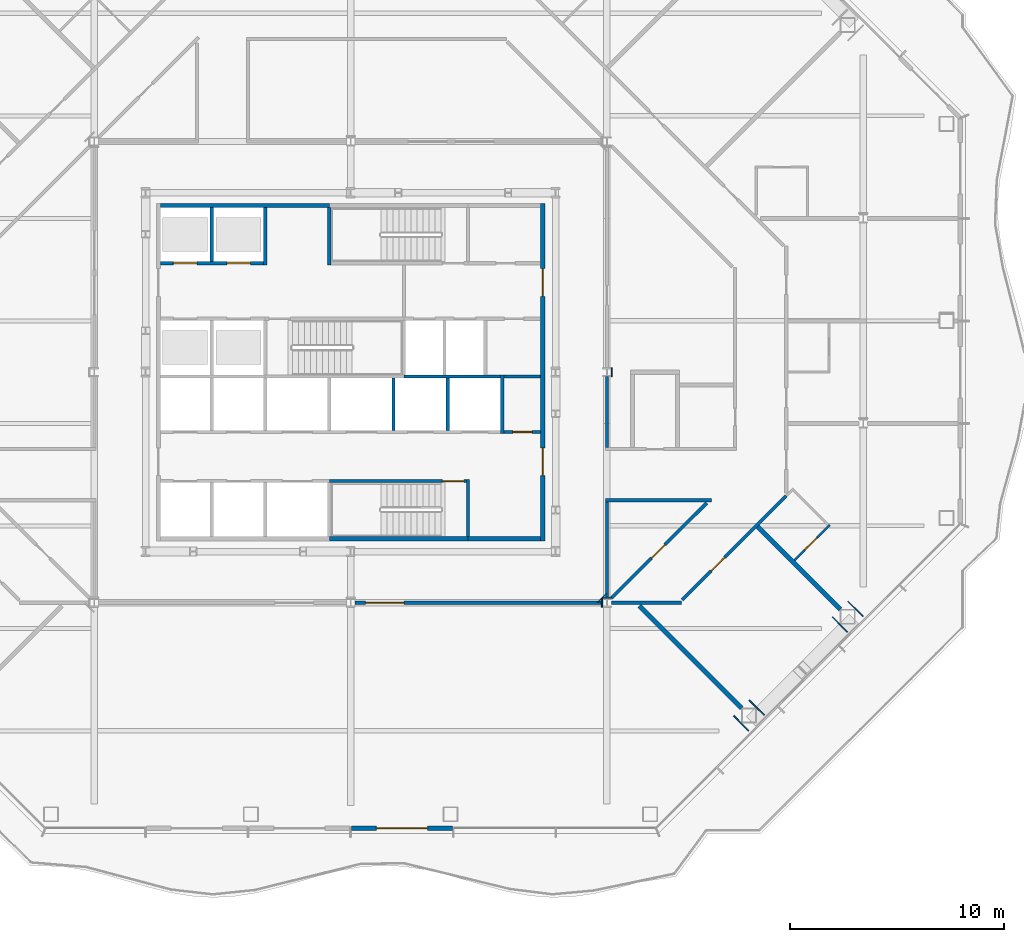
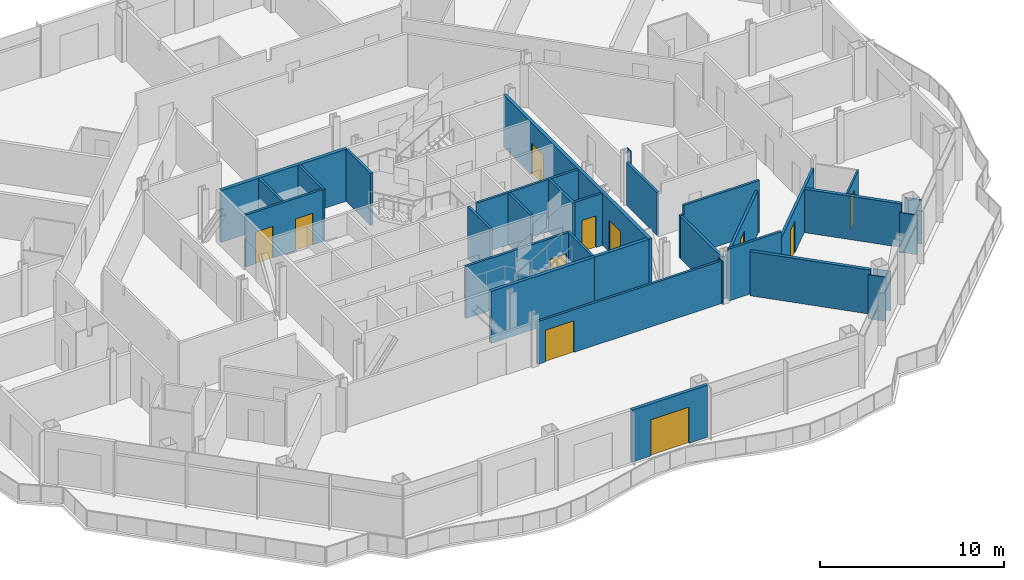
# One storey, part 11 of 24: 35 walls, 11 doors, 11 openings.
"""IFC4 building model written with IfcOpenShell, lengths in metres."""

from ifc_helpers import new_model, si_unit, direction, frame, frame_2d, origin, place, context, subcontext, project, spatial, polyline, rectangle, outline, extrude, material, layer, layer_set, type_object, element, fill, save


model = new_model("IFC4")

# Units and contexts
model_context = context("Model", 3, precision=1e-05, world=origin(), true_north=direction((0.0, 1.0)))
body_context = subcontext(model_context, "Body", "Model", "MODEL_VIEW")
ifc_project = project(units=[si_unit("LENGTHUNIT", "METRE"), si_unit("AREAUNIT", "SQUARE_METRE"), si_unit("VOLUMEUNIT", "CUBIC_METRE"), si_unit("PLANEANGLEUNIT", "RADIAN"), si_unit("MASSUNIT", "GRAM", prefix="KILO")], contexts=[model_context])

# Site, building, storey
site_placement = place(None, origin())
site = spatial("IfcSite", under=ifc_project, at=site_placement, CompositionType="ELEMENT")
building_placement = place(site_placement, origin())
building = spatial("IfcBuilding", under=site, at=building_placement, Name="Cairn Pilgrim Tower", CompositionType="ELEMENT")
storey_placement = place(building_placement, frame((0.0, 0.0, 125.39990234375)))
storey = spatial("IfcBuildingStorey", under=building, at=storey_placement, Name="L30", CompositionType="ELEMENT", Elevation=125.39990234375)

# Wall, opening, door
ifc_material_1 = material(Name="Bronze anodised aluminium insulated sandwich panel with mineral wool fill", Category="aluminium")
ifc_layer_1 = layer(ifc_material_1, 0.199951171875)
ifc_layer_set_1 = layer_set([ifc_layer_1], Name="BRONZE INFILL FRAME WALL 200")
wall_type_1 = type_object("IfcWallType", Name="BRONZE INFILL FRAME WALL 200", PredefinedType="NOTDEFINED", material=ifc_layer_set_1)
wall_1_placement = place(storey_placement, frame((7.22998046875, -18.949951171875, 0.0), z_axis=(0.0, 0.0, 1.0), x_axis=(1.0, 0.0, 0.0)))
wall_1 = element("IfcWall", 1, at=wall_1_placement, inside=storey, type_object=wall_type_1, Name="Bronze infill frame wall IW-S4", PredefinedType="NOTDEFINED", context=body_context, shape_type="SweptSolid", body=[
    extrude(rectangle(XDim=4.739990234375, YDim=0.199951171875, at=frame_2d((2.3701171875, 0.0))), origin(), (0.0, 0.0, 1.0), 3.4501953125),
])
opening_1_placement = place(wall_1_placement, frame((1.169921875, 0.0, 0.0)))
opening_1 = element("IfcOpeningElement", 2, at=opening_1_placement, cuts=wall_1, Name="Opening 3001B3", PredefinedType="OPENING", context=body_context, shape_type="SweptSolid", body=[
    extrude(rectangle(XDim=2.39990234375, YDim=2.39990234375, at=frame_2d((1.199951171875, 1.199951171875))), frame((0.0, 0.10986328125, 0.0), z_axis=(0.0, -1.0, 0.0), x_axis=(1.0, 0.0, 0.0)), (0.0, 0.0, 1.0), 0.219970703125),
])
ifc_material_2 = material(Name="Bronze anodised aluminium frame with tinted low-E glass", Category="aluminium")
door_type_1 = type_object("IfcDoorType", Name="BALCONY SLIDING DOOR 2400x2400", OperationType="DOUBLE_DOOR_SLIDING", PredefinedType="DOOR", material=ifc_material_2)
door_1_placement = place(opening_1_placement, origin())
door_1 = element("IfcDoor", 3, at=door_1_placement, inside=storey, type_object=door_type_1, Name="Balcony sliding door 3001B3", OperationType="SINGLE_SWING_LEFT", OverallHeight=2.39990234375, OverallWidth=2.39990234375, PredefinedType="DOOR", context=body_context, shape_type="SweptSolid", body=[
    extrude(rectangle(XDim=2.39990234375, YDim=2.39990234375, at=frame_2d((1.199951171875, 1.199951171875))), frame((0.0, 0.02490234375, 0.0), z_axis=(0.0, -1.0, 0.0), x_axis=(1.0, 0.0, 0.0)), (0.0, 0.0, 1.0), 0.050048828125),
])
fill(opening_1, door_1)

# Walls
ifc_material_3 = material(Name="Concrete C32/40", Category="concrete")
ifc_layer_2 = layer(ifc_material_3, 0.199951171875)
ifc_layer_set_2 = layer_set([ifc_layer_2], Name="CORE OUTER WALL 200 EI 120")
wall_type_2 = type_object("IfcWallType", Name="CORE OUTER WALL 200 EI 120", PredefinedType="SOLIDWALL", material=ifc_layer_set_2)
wall_2_placement = place(storey_placement, frame((12.699951171875, -5.39990234375, 0.0), z_axis=(0.0, 0.0, 1.0), x_axis=(1.0, 0.0, 0.0)))
element("IfcWall", 4, at=wall_2_placement, inside=storey, type_object=wall_type_2, Name="CW:L30:H01-3", PredefinedType="SOLIDWALL", context=body_context, shape_type="SweptSolid", body=[
    extrude(rectangle(XDim=3.400146484375, YDim=0.199951171875, at=frame_2d((1.7001953125, 0.0))), origin(), (0.0, 0.0, 1.0), 3.4501953125),
])
wall_3_placement = place(storey_placement, frame((-1.699951171875, 10.199951171875, 0.0), z_axis=(0.0, 0.0, 1.0), x_axis=(1.0, 0.0, 0.0)))
element("IfcWall", 5, at=wall_3_placement, inside=storey, type_object=wall_type_2, Name="CW:L30:H10-1", PredefinedType="SOLIDWALL", context=body_context, shape_type="SweptSolid", body=[
    extrude(rectangle(XDim=7.89990234375, YDim=0.199951171875, at=frame_2d((3.949951171875, 0.0))), origin(), (0.0, 0.0, 1.0), 3.4501953125),
])

# Wall, openings, doors
wall_4_placement = place(storey_placement, frame((16.199951171875, -5.5, 0.0), z_axis=(0.0, 0.0, 1.0), x_axis=(0.0, 1.0, 0.0)))
wall_4 = element("IfcWall", 6, at=wall_4_placement, inside=storey, type_object=wall_type_2, Name="CW:L30:V32", PredefinedType="SOLIDWALL", context=body_context, shape_type="SweptSolid", body=[
    extrude(rectangle(XDim=15.800048828125, YDim=0.199951171875, at=frame_2d((7.89990234375, 0.0))), origin(), (0.0, 0.0, 1.0), 3.4501953125),
])
opening_2_placement = place(wall_4_placement, frame((3.050048828125, 0.0, 0.0)))
opening_2 = element("IfcOpeningElement", 7, at=opening_2_placement, cuts=wall_4, Name="Opening CD-E1", PredefinedType="OPENING", context=body_context, shape_type="SweptSolid", body=[
    extrude(rectangle(XDim=1.300048828125, YDim=2.10009765625, at=frame_2d((0.64990234375, 1.050048828125))), frame((0.0, 0.10986328125, 0.0), z_axis=(0.0, -1.0, 0.0), x_axis=(1.0, 0.0, 0.0)), (0.0, 0.0, 1.0), 0.219970703125),
])
opening_3_placement = place(wall_4_placement, frame((11.449951171875, 0.0, 0.0)))
opening_3 = element("IfcOpeningElement", 8, at=opening_3_placement, cuts=wall_4, Name="Opening CD-E2", PredefinedType="OPENING", context=body_context, shape_type="SweptSolid", body=[
    extrude(rectangle(XDim=1.300048828125, YDim=2.10009765625, at=frame_2d((0.64990234375, 1.050048828125))), frame((0.0, 0.10986328125, 0.0), z_axis=(0.0, -1.0, 0.0), x_axis=(1.0, 0.0, 0.0)), (0.0, 0.0, 1.0), 0.219970703125),
])
ifc_material_4 = material(Name="Painted steel", Category="steel")
door_type_2 = type_object("IfcDoorType", Name="CORE LOBBY DOOR 1300x2100", OperationType="DOUBLE_DOOR_SINGLE_SWING", PredefinedType="DOOR", material=ifc_material_4)
door_2_placement = place(opening_2_placement, origin())
door_2 = element("IfcDoor", 9, at=door_2_placement, inside=storey, type_object=door_type_2, Name="CD-E1", OperationType="DOUBLE_DOOR_SINGLE_SWING", OverallHeight=2.10009765625, OverallWidth=1.300048828125, PredefinedType="DOOR", context=body_context, shape_type="SweptSolid", body=[
    extrude(rectangle(XDim=1.300048828125, YDim=2.10009765625, at=frame_2d((0.64990234375, 1.050048828125))), frame((0.0, 0.02490234375, 0.0), z_axis=(0.0, -1.0, 0.0), x_axis=(1.0, 0.0, 0.0)), (0.0, 0.0, 1.0), 0.050048828125),
])
fill(opening_2, door_2)
door_3_placement = place(opening_3_placement, origin())
door_3 = element("IfcDoor", 10, at=door_3_placement, inside=storey, type_object=door_type_2, Name="CD-E2", OperationType="DOUBLE_DOOR_SINGLE_SWING", OverallHeight=2.10009765625, OverallWidth=1.300048828125, PredefinedType="DOOR", context=body_context, shape_type="SweptSolid", body=[
    extrude(rectangle(XDim=1.300048828125, YDim=2.10009765625, at=frame_2d((0.64990234375, 1.050048828125))), frame((0.0, 0.02490234375, 0.0), z_axis=(0.0, -1.0, 0.0), x_axis=(1.0, 0.0, 0.0)), (0.0, 0.0, 1.0), 0.050048828125),
])
fill(opening_3, door_3)

# Wall, opening, door
ifc_layer_3 = layer(ifc_material_3, 0.14990234375)
ifc_layer_set_3 = layer_set([ifc_layer_3], Name="CORE PARTITION 150 EI 60")
wall_type_3 = type_object("IfcWallType", Name="CORE PARTITION 150 EI 60", PredefinedType="PARTITIONING", material=ifc_layer_set_3)
wall_5_placement = place(storey_placement, frame((14.375, -0.39990234375, 0.0), z_axis=(0.0, 0.0, 1.0), x_axis=(1.0, 0.0, 0.0)))
wall_5 = element("IfcWall", 11, at=wall_5_placement, inside=storey, type_object=wall_type_3, Name="CW:L30:H04", PredefinedType="PARTITIONING", context=body_context, shape_type="SweptSolid", body=[
    extrude(rectangle(XDim=1.72509765625, YDim=0.14990234375, at=frame_2d((0.862548828125, 0.0))), origin(), (0.0, 0.0, 1.0), 3.4501953125),
])
opening_4_placement = place(wall_5_placement, frame((0.425048828125, 0.0, 0.0)))
opening_4 = element("IfcOpeningElement", 12, at=opening_4_placement, cuts=wall_5, Name="Opening RD-R2E", PredefinedType="OPENING", context=body_context, shape_type="SweptSolid", body=[
    extrude(rectangle(XDim=0.89990234375, YDim=2.10009765625, at=frame_2d((0.449951171875, 1.050048828125))), frame((0.0, 0.0849609375, 0.0), z_axis=(0.0, -1.0, 0.0), x_axis=(1.0, 0.0, 0.0)), (0.0, 0.0, 1.0), 0.169921875),
])
door_type_3 = type_object("IfcDoorType", Name="SERVICE ROOM DOOR 900x2100", OperationType="SINGLE_SWING_LEFT", PredefinedType="DOOR", material=ifc_material_4)
door_4_placement = place(opening_4_placement, origin())
door_4 = element("IfcDoor", 13, at=door_4_placement, inside=storey, type_object=door_type_3, Name="RD-R2E", OperationType="SINGLE_SWING_RIGHT", OverallHeight=2.10009765625, OverallWidth=0.89990234375, PredefinedType="DOOR", context=body_context, shape_type="SweptSolid", body=[
    extrude(rectangle(XDim=0.89990234375, YDim=2.10009765625, at=frame_2d((0.449951171875, 1.050048828125))), frame((0.0, 0.02490234375, 0.0), z_axis=(0.0, -1.0, 0.0), x_axis=(1.0, 0.0, 0.0)), (0.0, 0.0, 1.0), 0.050048828125),
])
fill(opening_4, door_4)

# Walls
wall_6_placement = place(storey_placement, frame((14.375, 2.199951171875, 0.0), z_axis=(0.0, 0.0, 1.0), x_axis=(1.0, 0.0, 0.0)))
element("IfcWall", 14, at=wall_6_placement, inside=storey, type_object=wall_type_3, Name="CW:L30:H06", PredefinedType="PARTITIONING", context=body_context, shape_type="SweptSolid", body=[
    extrude(rectangle(XDim=1.72509765625, YDim=0.14990234375, at=frame_2d((0.862548828125, 0.0))), origin(), (0.0, 0.0, 1.0), 3.4501953125),
])
ifc_layer_4 = layer(ifc_material_3, 0.14990234375)
ifc_layer_set_4 = layer_set([ifc_layer_4], Name="CORE SHAFT WALL 150 EI 120")
wall_type_4 = type_object("IfcWallType", Name="CORE SHAFT WALL 150 EI 120", PredefinedType="SOLIDWALL", material=ifc_layer_set_4)
wall_7_placement = place(storey_placement, frame((9.699951171875, 2.199951171875, 0.0), z_axis=(0.0, 0.0, 1.0), x_axis=(1.0, 0.0, 0.0)))
element("IfcWall", 15, at=wall_7_placement, inside=storey, type_object=wall_type_4, Name="CW:L30:H05-3", PredefinedType="SOLIDWALL", context=body_context, shape_type="SweptSolid", body=[
    extrude(rectangle(XDim=4.525146484375, YDim=0.14990234375, at=frame_2d((2.2626953125, 0.0))), origin(), (0.0, 0.0, 1.0), 3.4501953125),
])

# Wall, openings, doors
wall_8_placement = place(storey_placement, frame((-1.699951171875, 7.5, 0.0), z_axis=(0.0, 0.0, 1.0), x_axis=(1.0, 0.0, 0.0)))
wall_8 = element("IfcWall", 16, at=wall_8_placement, inside=storey, type_object=wall_type_4, Name="CW:L30:H08", PredefinedType="SOLIDWALL", context=body_context, shape_type="SweptSolid", body=[
    extrude(rectangle(XDim=4.824951171875, YDim=0.14990234375, at=frame_2d((2.41259765625, 0.0))), origin(), (0.0, 0.0, 1.0), 3.4501953125),
])
opening_5_placement = place(wall_8_placement, frame((0.60009765625, 0.0, 0.0)))
opening_5 = element("IfcOpeningElement", 17, at=opening_5_placement, cuts=wall_8, Name="Opening LD-HR3", PredefinedType="OPENING", context=body_context, shape_type="SweptSolid", body=[
    extrude(rectangle(XDim=1.10009765625, YDim=2.10009765625, at=frame_2d((0.550048828125, 1.050048828125))), frame((0.0, 0.0849609375, 0.0), z_axis=(0.0, -1.0, 0.0), x_axis=(1.0, 0.0, 0.0)), (0.0, 0.0, 1.0), 0.169921875),
])
opening_6_placement = place(wall_8_placement, frame((3.10009765625, 0.0, 0.0)))
opening_6 = element("IfcOpeningElement", 18, at=opening_6_placement, cuts=wall_8, Name="Opening LD-HR4", PredefinedType="OPENING", context=body_context, shape_type="SweptSolid", body=[
    extrude(rectangle(XDim=1.10009765625, YDim=2.10009765625, at=frame_2d((0.550048828125, 1.050048828125))), frame((0.0, 0.0849609375, 0.0), z_axis=(0.0, -1.0, 0.0), x_axis=(1.0, 0.0, 0.0)), (0.0, 0.0, 1.0), 0.169921875),
])
ifc_material_5 = material(Name="Stainless steel", Category="steel")
door_type_4 = type_object("IfcDoorType", Name="LIFT LANDING DOOR 1100x2100", OperationType="DOUBLE_DOOR_SLIDING", PredefinedType="DOOR", material=ifc_material_5)
door_5_placement = place(opening_5_placement, origin())
door_5 = element("IfcDoor", 19, at=door_5_placement, inside=storey, type_object=door_type_4, Name="LANDING DOOR HR3", OperationType="DOUBLE_DOOR_SLIDING", OverallHeight=2.10009765625, OverallWidth=1.10009765625, PredefinedType="DOOR", context=body_context, shape_type="SweptSolid", body=[
    extrude(rectangle(XDim=1.10009765625, YDim=2.10009765625, at=frame_2d((0.550048828125, 1.050048828125))), frame((0.0, 0.02490234375, 0.0), z_axis=(0.0, -1.0, 0.0), x_axis=(1.0, 0.0, 0.0)), (0.0, 0.0, 1.0), 0.050048828125),
])
fill(opening_5, door_5)
door_6_placement = place(opening_6_placement, origin())
door_6 = element("IfcDoor", 20, at=door_6_placement, inside=storey, type_object=door_type_4, Name="LANDING DOOR HR4", OperationType="DOUBLE_DOOR_SLIDING", OverallHeight=2.10009765625, OverallWidth=1.10009765625, PredefinedType="DOOR", context=body_context, shape_type="SweptSolid", body=[
    extrude(rectangle(XDim=1.10009765625, YDim=2.10009765625, at=frame_2d((0.550048828125, 1.050048828125))), frame((0.0, 0.02490234375, 0.0), z_axis=(0.0, -1.0, 0.0), x_axis=(1.0, 0.0, 0.0)), (0.0, 0.0, 1.0), 0.050048828125),
])
fill(opening_6, door_6)

# Walls
wall_9_placement = place(storey_placement, frame((0.699951171875, 7.574951171875, 0.0), z_axis=(0.0, 0.0, 1.0), x_axis=(0.0, 1.0, 0.0)))
element("IfcWall", 21, at=wall_9_placement, inside=storey, type_object=wall_type_4, Name="CW:L30:V15", PredefinedType="SOLIDWALL", context=body_context, shape_type="SweptSolid", body=[
    extrude(rectangle(XDim=2.525146484375, YDim=0.14990234375, at=frame_2d((1.2626953125, 0.0))), origin(), (0.0, 0.0, 1.0), 3.4501953125),
])
wall_10_placement = place(storey_placement, frame((3.199951171875, 7.425048828125, 0.0), z_axis=(0.0, 0.0, 1.0), x_axis=(0.0, 1.0, 0.0)))
element("IfcWall", 22, at=wall_10_placement, inside=storey, type_object=wall_type_4, Name="CW:L30:V19", PredefinedType="SOLIDWALL", context=body_context, shape_type="SweptSolid", body=[
    extrude(rectangle(XDim=2.675048828125, YDim=0.14990234375, at=frame_2d((1.33740234375, 0.0))), origin(), (0.0, 0.0, 1.0), 3.4501953125),
])
for number, where, z_axis, x_axis, name in (
    (23, (9.199951171875, -0.324951171875, 0.0), (0.0, 0.0, 1.0), (0.0, 1.0, 0.0), "CW:L30:V23"),
    (24, (11.75, -0.324951171875, 0.0), (0.0, 0.0, 1.0), (0.0, 1.0, 0.0), "CW:L30:V27"),
):
    element("IfcWall", number, at=place(storey_placement, frame(where, z_axis=z_axis, x_axis=x_axis)), inside=storey, type_object=wall_type_4, Name=name, PredefinedType="SOLIDWALL", context=body_context, shape_type="SweptSolid", body=[
        extrude(rectangle(XDim=2.449951171875, YDim=0.14990234375, at=frame_2d((1.22509765625, 0.0))), origin(), (0.0, 0.0, 1.0), 3.4501953125),
    ])
wall_11_placement = place(storey_placement, frame((14.300048828125, -0.47509765625, 0.0), z_axis=(0.0, 0.0, 1.0), x_axis=(0.0, 1.0, 0.0)))
element("IfcWall", 25, at=wall_11_placement, inside=storey, type_object=wall_type_4, Name="CW:L30:V31", PredefinedType="SOLIDWALL", context=body_context, shape_type="SweptSolid", body=[
    extrude(rectangle(XDim=2.75, YDim=0.14990234375, at=frame_2d((1.375, 0.0))), origin(), (0.0, 0.0, 1.0), 3.4501953125),
])

# Wall, opening, door
ifc_material_6 = material(Name="Gypsum partition")
ifc_layer_5 = layer(ifc_material_6, 0.10009765625)
ifc_layer_set_5 = layer_set([ifc_layer_5], Name="PARTITION 100 DRYWALL")
wall_type_5 = type_object("IfcWallType", Name="PARTITION 100 DRYWALL", PredefinedType="PARTITIONING", material=ifc_layer_set_5)
wall_12_placement = place(storey_placement, frame((27.976806640625, -6.411376953125, 0.0), z_axis=(0.0, 0.0, 1.0), x_axis=(0.707054828152, 0.707158730404, 0.0)))
wall_12 = element("IfcWall", 26, at=wall_12_placement, inside=storey, type_object=wall_type_5, Name="PARTITION W018", PredefinedType="PARTITIONING", context=body_context, shape_type="SweptSolid", body=[
    extrude(rectangle(XDim=2.349609375, YDim=0.10009765625, at=frame_2d((1.1748046875, 0.0))), origin(), (0.0, 0.0, 1.0), 2.880126953125),
])
opening_7_placement = place(wall_12_placement, frame((0.699951171875, 0.0, 0.0)))
opening_7 = element("IfcOpeningElement", 27, at=opening_7_placement, cuts=wall_12, Name="Opening 3003A", PredefinedType="OPENING", context=body_context, shape_type="SweptSolid", body=[
    extrude(rectangle(XDim=0.800048828125, YDim=2.10009765625, at=frame_2d((0.39990234375, 1.050048828125))), frame((0.0, 0.06005859375, 0.0), z_axis=(0.0, -1.0, 0.0), x_axis=(1.0, 0.0, 0.0)), (0.0, 0.0, 1.0), 0.1201171875),
])
ifc_material_7 = material(Name="Timber door leaf", Category="wood")
door_type_5 = type_object("IfcDoorType", Name="WC DOOR 800x2100", OperationType="NOTDEFINED", PredefinedType="DOOR", material=ifc_material_7)
door_7_placement = place(opening_7_placement, frame((0.800048828125, 0.0, 0.0), z_axis=(0.0, 0.0, 1.0), x_axis=(-1.0, 0.0, 0.0)))
door_7 = element("IfcDoor", 28, at=door_7_placement, inside=storey, type_object=door_type_5, Name="DOOR 3003A", OperationType="SINGLE_SWING_LEFT", OverallHeight=2.10009765625, OverallWidth=0.800048828125, PredefinedType="DOOR", context=body_context, shape_type="SweptSolid", body=[
    extrude(rectangle(XDim=0.800048828125, YDim=2.10009765625, at=frame_2d((0.39990234375, 1.050048828125))), frame((0.0, 0.02490234375, 0.0), z_axis=(0.0, -1.0, 0.0), x_axis=(1.0, 0.0, 0.0)), (0.0, 0.0, 1.0), 0.050048828125),
])
fill(opening_7, door_7)

ifc_layer_6 = layer(ifc_material_6, 0.14990234375)
ifc_layer_set_6 = layer_set([ifc_layer_6], Name="PARTITION 150 DRYWALL EI 60")
wall_type_6 = type_object("IfcWallType", Name="PARTITION 150 DRYWALL EI 60", PredefinedType="PARTITIONING", material=ifc_layer_set_6)
wall_13_placement = place(storey_placement, frame((7.404541015625, -8.39990234375, 0.0), z_axis=(0.0, 0.0, 1.0), x_axis=(1.0, 0.0, 0.0)))
wall_13 = element("IfcWall", 29, at=wall_13_placement, inside=storey, type_object=wall_type_6, Name="PARTITION W008", PredefinedType="PARTITIONING", context=body_context, shape_type="SweptSolid", body=[
    extrude(rectangle(XDim=11.591064453125, YDim=0.14990234375, at=frame_2d((5.79541015625, 0.0))), origin(), (0.0, 0.0, 1.0), 2.830078125),
])
opening_8_placement = place(wall_13_placement, frame((0.495361328125, 0.0, 0.0)))
opening_8 = element("IfcOpeningElement", 30, at=opening_8_placement, cuts=wall_13, Name="Opening 3001", PredefinedType="OPENING", context=body_context, shape_type="SweptSolid", body=[
    extrude(rectangle(XDim=1.800048828125, YDim=2.10009765625, at=frame_2d((0.89990234375, 1.050048828125))), frame((0.0, 0.0849609375, 0.0), z_axis=(0.0, -1.0, 0.0), x_axis=(1.0, 0.0, 0.0)), (0.0, 0.0, 1.0), 0.169921875),
])
door_type_6 = type_object("IfcDoorType", Name="DOOR PAIR 1800x2100 FD60S", OperationType="NOTDEFINED", PredefinedType="DOOR", material=ifc_material_7)
door_8_placement = place(opening_8_placement, frame((1.800048828125, 0.0, 0.0), z_axis=(0.0, 0.0, 1.0), x_axis=(-1.0, 0.0, 0.0)))
door_8 = element("IfcDoor", 31, at=door_8_placement, inside=storey, type_object=door_type_6, Name="DOOR 3001", OperationType="DOUBLE_DOOR_SINGLE_SWING", OverallHeight=2.10009765625, OverallWidth=1.800048828125, PredefinedType="DOOR", context=body_context, shape_type="SweptSolid", body=[
    extrude(rectangle(XDim=1.800048828125, YDim=2.10009765625, at=frame_2d((0.89990234375, 1.050048828125))), frame((0.0, 0.02490234375, 0.0), z_axis=(0.0, -1.0, 0.0), x_axis=(1.0, 0.0, 0.0)), (0.0, 0.0, 1.0), 0.050048828125),
])
fill(opening_8, door_8)

# Wall
wall_14_placement = place(storey_placement, frame((19.404541015625, -8.39990234375, 0.0), z_axis=(0.0, 0.0, 1.0), x_axis=(1.0, 0.0, 0.0)))
element("IfcWall", 32, at=wall_14_placement, inside=storey, type_object=wall_type_6, Name="PARTITION W009", PredefinedType="PARTITIONING", context=body_context, shape_type="SweptSolid", body=[
    extrude(rectangle(XDim=3.29541015625, YDim=0.14990234375, at=frame_2d((1.647705078125, 0.0))), origin(), (0.0, 0.0, 1.0), 3.4501953125),
])

# Wall, opening, door
wall_15_placement = place(storey_placement, frame((22.721923828125, -8.27197265625, 0.0), z_axis=(0.0, 0.0, 1.0), x_axis=(0.707124475887, 0.707089086043, 0.0)))
wall_15 = element("IfcWall", 33, at=wall_15_placement, inside=storey, type_object=wall_type_6, Name="PARTITION W011", PredefinedType="PARTITIONING", context=body_context, shape_type="SweptSolid", body=[
    extrude(rectangle(XDim=6.898681640625, YDim=0.14990234375, at=frame_2d((3.44921875, 0.0))), origin(), (0.0, 0.0, 1.0), 2.880126953125),
])
opening_9_placement = place(wall_15_placement, frame((1.92529296875, 0.0, 0.0)))
opening_9 = element("IfcOpeningElement", 34, at=opening_9_placement, cuts=wall_15, Name="Opening 3002", PredefinedType="OPENING", context=body_context, shape_type="SweptSolid", body=[
    extrude(rectangle(XDim=0.89990234375, YDim=2.10009765625, at=frame_2d((0.449951171875, 1.050048828125))), frame((0.0, 0.0849609375, 0.0), z_axis=(0.0, -1.0, 0.0), x_axis=(1.0, 0.0, 0.0)), (0.0, 0.0, 1.0), 0.169921875),
])
door_type_7 = type_object("IfcDoorType", Name="SERVICE DOOR 900x2100 FD30S", OperationType="NOTDEFINED", PredefinedType="DOOR", material=ifc_material_7)
door_9_placement = place(opening_9_placement, frame((0.89990234375, 0.0, 0.0), z_axis=(0.0, 0.0, 1.0), x_axis=(-1.0, 0.0, 0.0)))
door_9 = element("IfcDoor", 35, at=door_9_placement, inside=storey, type_object=door_type_7, Name="DOOR 3002", OperationType="SINGLE_SWING_LEFT", OverallHeight=2.10009765625, OverallWidth=0.89990234375, PredefinedType="DOOR", context=body_context, shape_type="SweptSolid", body=[
    extrude(rectangle(XDim=0.89990234375, YDim=2.10009765625, at=frame_2d((0.449951171875, 1.050048828125))), frame((0.0, 0.02490234375, 0.0), z_axis=(0.0, -1.0, 0.0), x_axis=(1.0, 0.0, 0.0)), (0.0, 0.0, 1.0), 0.050048828125),
])
fill(opening_9, door_9)

# Wall
wall_16_placement = place(storey_placement, frame((19.199951171875, -8.1875, 0.0), z_axis=(0.0, 0.0, 1.0), x_axis=(0.0, 1.0, 0.0)))
element("IfcWall", 36, at=wall_16_placement, inside=storey, type_object=wall_type_6, Name="PARTITION W014", PredefinedType="PARTITIONING", context=body_context, shape_type="SweptSolid", body=[
    extrude(rectangle(XDim=4.512451171875, YDim=0.14990234375, at=frame_2d((2.25634765625, 0.0))), origin(), (0.0, 0.0, 1.0), 2.830078125),
])

# Wall, opening, door
wall_17_placement = place(storey_placement, frame((19.408447265625, -8.19140625, 0.0), z_axis=(0.0, 0.0, 1.0), x_axis=(0.707126119272, 0.707087442572, 0.0)))
wall_17 = element("IfcWall", 37, at=wall_17_placement, inside=storey, type_object=wall_type_6, Name="PARTITION W015", PredefinedType="PARTITIONING", context=body_context, shape_type="SweptSolid", body=[
    extrude(rectangle(XDim=6.312255859375, YDim=0.14990234375, at=frame_2d((3.15625, 0.0))), origin(), (0.0, 0.0, 1.0), 2.880126953125),
])
opening_10_placement = place(wall_17_placement, frame((2.649169921875, 0.0, 0.0)))
opening_10 = element("IfcOpeningElement", 38, at=opening_10_placement, cuts=wall_17, Name="Opening 3021", PredefinedType="OPENING", context=body_context, shape_type="SweptSolid", body=[
    extrude(rectangle(XDim=0.89990234375, YDim=2.10009765625, at=frame_2d((0.449951171875, 1.050048828125))), frame((0.0, 0.0849609375, 0.0), z_axis=(0.0, -1.0, 0.0), x_axis=(1.0, 0.0, 0.0)), (0.0, 0.0, 1.0), 0.169921875),
])
door_10_placement = place(opening_10_placement, origin())
door_10 = element("IfcDoor", 39, at=door_10_placement, inside=storey, type_object=door_type_7, Name="DOOR 3021", OperationType="SINGLE_SWING_LEFT", OverallHeight=2.10009765625, OverallWidth=0.89990234375, PredefinedType="DOOR", context=body_context, shape_type="SweptSolid", body=[
    extrude(rectangle(XDim=0.89990234375, YDim=2.10009765625, at=frame_2d((0.449951171875, 1.050048828125))), frame((0.0, 0.02490234375, 0.0), z_axis=(0.0, -1.0, 0.0), x_axis=(1.0, 0.0, 0.0)), (0.0, 0.0, 1.0), 0.050048828125),
])
fill(opening_10, door_10)

# Walls
wall_18_placement = place(storey_placement, frame((19.125, -3.60009765625, 0.0), z_axis=(0.0, 0.0, 1.0), x_axis=(1.0, 0.0, 0.0)))
element("IfcWall", 40, at=wall_18_placement, inside=storey, type_object=wall_type_6, Name="PARTITION W022", PredefinedType="PARTITIONING", context=body_context, shape_type="SweptSolid", body=[
    extrude(outline(polyline([(0.0, 0.0), (4.981201171875, 0.0), (4.981201171875, 3.4501953125), (0.22509765625, 3.4501953125), (0.222900390625, 2.830078125), (0.0, 2.830078125), (0.0, 0.0)])), frame((0.0, 0.074951171875, 0.0), z_axis=(0.0, -1.0, 0.0), x_axis=(1.0, 0.0, 0.0)), (0.0, 0.0, 1.0), 0.14990234375),
])
wall_19_placement = place(storey_placement, frame((19.199951171875, -1.125, 0.0), z_axis=(0.0, 0.0, 1.0), x_axis=(0.0, 1.0, 0.0)))
element("IfcWall", 41, at=wall_19_placement, inside=storey, type_object=wall_type_6, Name="PARTITION W030", PredefinedType="PARTITIONING", context=body_context, shape_type="SweptSolid", body=[
    extrude(rectangle(XDim=3.3125, YDim=0.14990234375, at=frame_2d((1.65625, 0.0))), origin(), (0.0, 0.0, 1.0), 2.830078125),
])
ifc_layer_7 = layer(ifc_material_6, 0.050048828125)
ifc_layer_set_7 = layer_set([ifc_layer_7], Name="PARTITION 50 DRYWALL EI 60")
wall_type_7 = type_object("IfcWallType", Name="PARTITION 50 DRYWALL EI 60", PredefinedType="PARTITIONING", material=ifc_layer_set_7)
wall_20_placement = place(storey_placement, frame((26.569091796875, -13.657958984375, 0.0), z_axis=(0.0, 0.0, 1.0), x_axis=(-0.707106781187, 0.707106781187, 0.0)))
element("IfcWall", 42, at=wall_20_placement, inside=storey, type_object=wall_type_7, Name="COLUMN CASING WC03", PredefinedType="PARTITIONING", context=body_context, shape_type="SweptSolid", body=[
    extrude(rectangle(XDim=0.989990234375, YDim=0.050048828125, at=frame_2d((0.4951171875, 0.0))), origin(), (0.0, 0.0, 1.0), 2.630126953125),
])
wall_21_placement = place(storey_placement, frame((25.833740234375, -14.393310546875, 0.0), z_axis=(0.0, 0.0, 1.0), x_axis=(-0.707106781187, 0.707106781187, 0.0)))
element("IfcWall", 43, at=wall_21_placement, inside=storey, type_object=wall_type_7, Name="COLUMN CASING WC04", PredefinedType="PARTITIONING", context=body_context, shape_type="SweptSolid", body=[
    extrude(rectangle(XDim=0.989990234375, YDim=0.050048828125, at=frame_2d((0.4951171875, 0.0))), origin(), (0.0, 0.0, 1.0), 2.93017578125),
])
wall_22_placement = place(storey_placement, frame((30.4580078125, -9.769287109375, 0.0), z_axis=(0.0, 0.0, 1.0), x_axis=(-0.706983473703, 0.707230067171, 0.0)))
element("IfcWall", 44, at=wall_22_placement, inside=storey, type_object=wall_type_7, Name="COLUMN CASING WC06", PredefinedType="PARTITIONING", context=body_context, shape_type="SweptSolid", body=[
    extrude(rectangle(XDim=0.989990234375, YDim=0.050048828125, at=frame_2d((0.4951171875, 0.0))), origin(), (0.0, 0.0, 1.0), 2.630126953125),
])
wall_23_placement = place(storey_placement, frame((31.193359375, -9.03369140625, 0.0), z_axis=(0.0, 0.0, 1.0), x_axis=(-0.707106781187, 0.707106781187, 0.0)))
element("IfcWall", 45, at=wall_23_placement, inside=storey, type_object=wall_type_7, Name="COLUMN CASING WC07", PredefinedType="PARTITIONING", context=body_context, shape_type="SweptSolid", body=[
    extrude(rectangle(XDim=0.989990234375, YDim=0.050048828125, at=frame_2d((0.4951171875, 0.0))), origin(), (0.0, 0.0, 1.0), 2.93017578125),
])
wall_24_placement = place(storey_placement, frame((18.99560546875, -8.16259765625, 0.0), z_axis=(0.0, 0.0, 1.0), x_axis=(1.0, 0.0, 0.0)))
element("IfcWall", 46, at=wall_24_placement, inside=storey, type_object=wall_type_7, Name="COLUMN CASING WC10", PredefinedType="PARTITIONING", context=body_context, shape_type="SweptSolid", body=[
    extrude(rectangle(XDim=0.408935546875, YDim=0.050048828125, at=frame_2d((0.20458984375, 0.0))), origin(), (0.0, 0.0, 1.0), 2.830078125),
])
wall_25_placement = place(storey_placement, frame((18.970458984375, -8.612548828125, 0.0), z_axis=(0.0, 0.0, 1.0), x_axis=(0.0, 1.0, 0.0)))
element("IfcWall", 47, at=wall_25_placement, inside=storey, type_object=wall_type_7, Name="COLUMN CASING WC13", PredefinedType="PARTITIONING", context=body_context, shape_type="SweptSolid", body=[
    extrude(rectangle(XDim=0.425048828125, YDim=0.050048828125, at=frame_2d((0.21240234375, 0.0))), origin(), (0.0, 0.0, 1.0), 2.830078125),
])
wall_26_placement = place(storey_placement, frame((18.765380859375, -8.38232421875, 0.0), z_axis=(0.0, 0.0, 1.0), x_axis=(0.707106781187, 0.707106781187, 0.0)))
element("IfcWall", 48, at=wall_26_placement, inside=storey, type_object=wall_type_7, Name="COLUMN CASING WC14", PredefinedType="PARTITIONING", context=body_context, shape_type="SweptSolid", body=[
    extrude(rectangle(XDim=0.589599609375, YDim=0.050048828125, at=frame_2d((0.294921875, 0.0))), origin(), (0.0, 0.0, 1.0), 2.830078125),
])
wall_27_placement = place(storey_placement, frame((19.429443359375, 2.1875, 0.0), z_axis=(0.0, 0.0, 1.0), x_axis=(0.0, 1.0, 0.0)))
element("IfcWall", 49, at=wall_27_placement, inside=storey, type_object=wall_type_7, Name="COLUMN CASING WC17", PredefinedType="PARTITIONING", context=body_context, shape_type="SweptSolid", body=[
    extrude(rectangle(XDim=0.425048828125, YDim=0.050048828125, at=frame_2d((0.21240234375, 0.0))), origin(), (0.0, 0.0, 1.0), 3.4501953125),
])
ifc_layer_8 = layer(ifc_material_6, 0.199951171875)
ifc_layer_set_8 = layer_set([ifc_layer_8], Name="SHAFT WALL 200 GYPSUM EI 60")
wall_type_8 = type_object("IfcWallType", Name="SHAFT WALL 200 GYPSUM EI 60", PredefinedType="PARTITIONING", material=ifc_layer_set_8)
wall_28_placement = place(storey_placement, frame((25.501708984375, -13.32568359375, 0.0), z_axis=(0.0, 0.0, 1.0), x_axis=(-0.707106781187, 0.707106781187, 0.0)))
element("IfcWall", 50, at=wall_28_placement, inside=storey, type_object=wall_type_8, Name="PARTITION W002", PredefinedType="PARTITIONING", context=body_context, shape_type="SweptSolid", body=[
    extrude(rectangle(XDim=6.760009765625, YDim=0.199951171875, at=frame_2d((3.3798828125, 0.0))), origin(), (0.0, 0.0, 1.0), 2.93017578125),
])
wall_29_placement = place(storey_placement, frame((30.12548828125, -8.70166015625, 0.0), z_axis=(0.0, 0.0, 1.0), x_axis=(-0.707084440093, 0.707129121574, 0.0)))
element("IfcWall", 51, at=wall_29_placement, inside=storey, type_object=wall_type_8, Name="PARTITION W005", PredefinedType="PARTITIONING", context=body_context, shape_type="SweptSolid", body=[
    extrude(rectangle(XDim=5.464111328125, YDim=0.199951171875, at=frame_2d((2.73193359375, 0.0))), origin(), (0.0, 0.0, 1.0), 2.880126953125),
])

# Wall, opening, door
ifc_material_8 = material(Name="Concrete C35/45", Category="concrete")
ifc_layer_9 = layer(ifc_material_8, 0.14990234375)
ifc_layer_set_9 = layer_set([ifc_layer_9], Name="STAIR SHAFT WALL 150 EI 120")
wall_type_9 = type_object("IfcWallType", Name="STAIR SHAFT WALL 150 EI 120", PredefinedType="SOLIDWALL", material=ifc_layer_set_9)
wall_30_placement = place(storey_placement, frame((6.199951171875, -2.699951171875, 0.0), z_axis=(0.0, 0.0, 1.0), x_axis=(1.0, 0.0, 0.0)))
wall_30 = element("IfcWall", 52, at=wall_30_placement, inside=storey, type_object=wall_type_9, Name="CW:L30:H02-2", PredefinedType="SOLIDWALL", context=body_context, shape_type="SweptSolid", body=[
    extrude(rectangle(XDim=6.425048828125, YDim=0.14990234375, at=frame_2d((3.21240234375, 0.0))), origin(), (0.0, 0.0, 1.0), 3.4501953125),
])
opening_11_placement = place(wall_30_placement, frame((5.300048828125, 0.0, 0.0)))
opening_11 = element("IfcOpeningElement", 53, at=opening_11_placement, cuts=wall_30, Name="Opening SD-A", PredefinedType="OPENING", context=body_context, shape_type="SweptSolid", body=[
    extrude(rectangle(XDim=1.0, YDim=2.10009765625, at=frame_2d((0.5, 1.050048828125))), frame((0.0, 0.0849609375, 0.0), z_axis=(0.0, -1.0, 0.0), x_axis=(1.0, 0.0, 0.0)), (0.0, 0.0, 1.0), 0.169921875),
])
door_type_8 = type_object("IfcDoorType", Name="STAIR DOOR FD60S 1000x2100", OperationType="SINGLE_SWING_LEFT", PredefinedType="DOOR", material=ifc_material_4)
door_11_placement = place(opening_11_placement, origin())
door_11 = element("IfcDoor", 54, at=door_11_placement, inside=storey, type_object=door_type_8, Name="SD-A", OperationType="SINGLE_SWING_LEFT", OverallHeight=2.10009765625, OverallWidth=1.0, PredefinedType="DOOR", context=body_context, shape_type="SweptSolid", body=[
    extrude(rectangle(XDim=1.0, YDim=2.10009765625, at=frame_2d((0.5, 1.050048828125))), frame((0.0, 0.02490234375, 0.0), z_axis=(0.0, -1.0, 0.0), x_axis=(1.0, 0.0, 0.0)), (0.0, 0.0, 1.0), 0.050048828125),
])
fill(opening_11, door_11)

# Walls
for number, where, z_axis, x_axis, name in (
    (55, (6.199951171875, 7.425048828125, 0.0), (0.0, 0.0, 1.0), (0.0, 1.0, 0.0), "CW:L30:V22"),
    (56, (12.699951171875, -5.300048828125, 0.0), (0.0, 0.0, 1.0), (0.0, 1.0, 0.0), "CW:L30:V28"),
):
    element("IfcWall", number, at=place(storey_placement, frame(where, z_axis=z_axis, x_axis=x_axis)), inside=storey, type_object=wall_type_9, Name=name, PredefinedType="SOLIDWALL", context=body_context, shape_type="SweptSolid", body=[
        extrude(rectangle(XDim=2.675048828125, YDim=0.14990234375, at=frame_2d((1.33740234375, 0.0))), origin(), (0.0, 0.0, 1.0), 3.4501953125),
    ])
ifc_layer_10 = layer(ifc_material_8, 0.199951171875)
ifc_layer_set_10 = layer_set([ifc_layer_10], Name="STAIR SHAFT WALL 200 EI 120")
wall_type_10 = type_object("IfcWallType", Name="STAIR SHAFT WALL 200 EI 120", PredefinedType="SOLIDWALL", material=ifc_layer_set_10)
wall_31_placement = place(storey_placement, frame((6.199951171875, -5.39990234375, 0.0), z_axis=(0.0, 0.0, 1.0), x_axis=(1.0, 0.0, 0.0)))
element("IfcWall", 57, at=wall_31_placement, inside=storey, type_object=wall_type_10, Name="CW:L30:H01-2", PredefinedType="SOLIDWALL", context=body_context, shape_type="SweptSolid", body=[
    extrude(rectangle(XDim=6.5, YDim=0.199951171875, at=frame_2d((3.25, 0.0))), origin(), (0.0, 0.0, 1.0), 3.4501953125),
])

save(model, "model.ifc")
